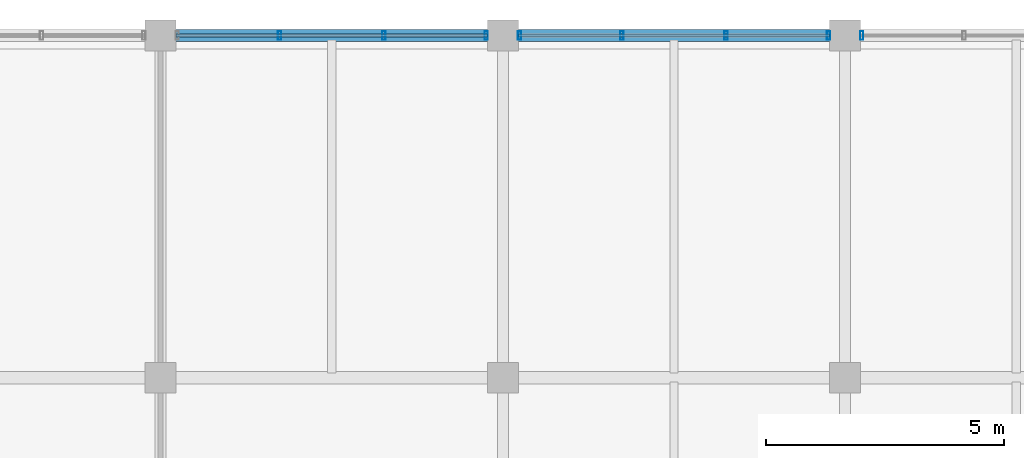
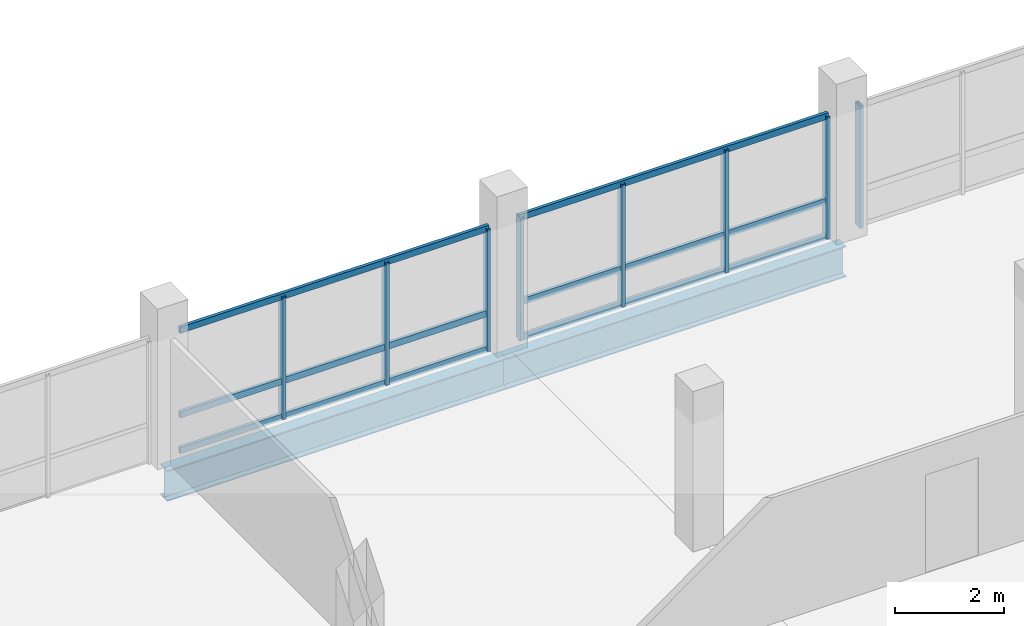
# One storey, part 47 of 96: 14 members, 2 beams, 3 elements without a shape of their own.
"""IFC4 building model written with IfcOpenShell, lengths in metres."""

import ifcopenshell
import ifcopenshell.guid

model = None  # the IFC model being written
_history = None  # IfcOwnerHistory: only IFC2X3 demands one
_inside = {}  # id of a spatial element -> (the spatial element, [elements in it])
_under = {}  # id of a project, library or spatial element -> (it, [spatial elements below it])
_declared = {}  # id of a project -> (the project, [libraries it declares])
_typed = {}  # id of a type object -> (the type object, [elements of that type])
_made_of = {}  # id of a material, layer set ... -> (it, [elements and type objects made of it])


def new_model(schema):
    """Start an empty IFC model of exactly this schema.

    Asked for "IFC4X3", IfcOpenShell would pick the latest addendum, in which some entities
    have other attributes; the version numbers below select the first issue.
    IFC2X3 requires an IfcOwnerHistory on every rooted entity: one is made here for all.
    """
    global model, _history
    if schema == "IFC4X3":
        model = ifcopenshell.file(schema_version=(4, 3, 0, 0))
    else:
        model = ifcopenshell.file(schema=schema)
    _inside.clear()
    _under.clear()
    _declared.clear()
    _typed.clear()
    _made_of.clear()
    _history = None
    if model.schema == "IFC2X3":
        org = make("IfcOrganization", Name="unknown")
        user = make(
            "IfcPersonAndOrganization",
            ThePerson=make("IfcPerson", FamilyName="unknown"),
            TheOrganization=org,
        )
        app = make(
            "IfcApplication",
            ApplicationDeveloper=org,
            Version="unknown",
            ApplicationFullName="unknown",
            ApplicationIdentifier="unknown",
        )
        _history = make(
            "IfcOwnerHistory",
            OwningUser=user,
            OwningApplication=app,
            ChangeAction="ADDED",
            CreationDate=0,
        )
    return model


def make(cls, **values):
    """One entity of the class cls with the attributes given. An attribute that is None is left unset."""
    return model.create_entity(
        cls, **{name: value for name, value in values.items() if value is not None}
    )


def rooted(cls, **values):
    """An entity with a GlobalId (a new one), such as an element, a storey or a relation."""
    return make(cls, GlobalId=ifcopenshell.guid.new(), OwnerHistory=_history, **values)


def si_unit(unit_type, name, prefix=None):
    """IfcSIUnit, for example si_unit("LENGTHUNIT", "METRE", prefix="MILLI")."""
    return make("IfcSIUnit", UnitType=unit_type, Prefix=prefix, Name=name)


def assignment(units):
    """IfcUnitAssignment: the units of a project."""
    return None if units is None else make("IfcUnitAssignment", Units=units)


def point(xyz):
    """IfcCartesianPoint."""
    return None if xyz is None else make("IfcCartesianPoint", Coordinates=xyz)


def direction(xyz):
    """IfcDirection."""
    return None if xyz is None else make("IfcDirection", DirectionRatios=xyz)


def frame(location, z_axis=None, x_axis=None):
    """IfcAxis2Placement3D, a coordinate frame: its origin and axes. An axis left out is left unset."""
    return make(
        "IfcAxis2Placement3D",
        Location=point(location),
        Axis=direction(z_axis),
        RefDirection=direction(x_axis),
    )


def frame_2d(location, x_axis=None):
    """IfcAxis2Placement2D, a coordinate frame in the plane: its origin and x axis."""
    return make(
        "IfcAxis2Placement2D", Location=point(location), RefDirection=direction(x_axis)
    )


def origin():
    """The frame at (0, 0, 0) with its axes left unset."""
    return frame((0.0, 0.0, 0.0))


def origin_2d():
    """The frame at (0, 0) in the plane with its x axis left unset."""
    return frame_2d((0.0, 0.0))


def place(relative_to, where):
    """IfcLocalPlacement: puts the frame where relative to a parent placement (None: the world)."""
    return make(
        "IfcLocalPlacement", PlacementRelTo=relative_to, RelativePlacement=where
    )


def context(
    kind, dimensions, precision=None, world=None, true_north=None, identifier=None
):
    """IfcGeometricRepresentationContext, for example the 3D "Model" context."""
    return make(
        "IfcGeometricRepresentationContext",
        ContextIdentifier=identifier,
        ContextType=kind,
        CoordinateSpaceDimension=dimensions,
        Precision=precision,
        WorldCoordinateSystem=world,
        TrueNorth=true_north,
    )


def subcontext(parent, identifier, kind, view, scale=None):
    """IfcGeometricRepresentationSubContext, for example "Body" below "Model"."""
    return make(
        "IfcGeometricRepresentationSubContext",
        ContextIdentifier=identifier,
        ContextType=kind,
        ParentContext=parent,
        TargetScale=scale,
        TargetView=view,
    )


def project(units=None, contexts=None):
    """IfcProject with its units and contexts."""
    return rooted(
        "IfcProject",
        Name="project",
        RepresentationContexts=contexts,
        UnitsInContext=assignment(units),
    )


def spatial(cls, under=None, at=None, **own):
    """A site, building, storey or space (cls), placed at a placement, below another one or the project."""
    s = rooted(cls, ObjectPlacement=at, **own)
    if under is not None:
        _under.setdefault(under.id(), (under, []))[1].append(s)
    return s


def profile(cls, at=None, kind="AREA", **sizes):
    """A parametric profile (cls). Its sizes go by their IFC names, for example OverallWidth=200.0."""
    return make(cls, ProfileType=kind, Position=at, **sizes)


def hollow_rectangle(**sizes):
    """IfcRectangleHollowProfileDef."""
    return profile("IfcRectangleHollowProfileDef", **sizes)


def i_section(**sizes):
    """IfcIShapeProfileDef."""
    return profile("IfcIShapeProfileDef", **sizes)


def extrude(swept, where, along, depth):
    """IfcExtrudedAreaSolid: the profile swept, set in the frame where, extruded along a direction by depth."""
    return make(
        "IfcExtrudedAreaSolid",
        SweptArea=swept,
        Position=where,
        ExtrudedDirection=direction(along),
        Depth=depth,
    )


def shape(context_of_items, identifier, shape_type, items):
    """IfcShapeRepresentation: the items that make up one representation, for example the "Body"."""
    return make(
        "IfcShapeRepresentation",
        ContextOfItems=context_of_items,
        RepresentationIdentifier=identifier,
        RepresentationType=shape_type,
        Items=items,
    )


def material(Name=None, Category=None):
    """IfcMaterial."""
    return make("IfcMaterial", Name=Name, Category=Category)


def material_profile(
    of_material, cross_section, Name=None, Category=None, Priority=None
):
    """IfcMaterialProfile: a cross section and its material."""
    return make(
        "IfcMaterialProfile",
        Name=Name,
        Material=of_material,
        Profile=cross_section,
        Priority=Priority,
        Category=Category,
    )


def profile_set(profiles, Name=None, composite=None):
    """IfcMaterialProfileSet."""
    return make(
        "IfcMaterialProfileSet",
        Name=Name,
        MaterialProfiles=profiles,
        CompositeProfile=composite,
    )


def made_of(thing, what):
    """Note that an element or type object is made of a material, layer set ...; save() writes the relation."""
    if what is not None:
        _made_of.setdefault(what.id(), (what, []))[1].append(thing)
    return thing


def type_object(cls, material=None, **own):
    """A type object (cls), such as IfcWallType, which elements share."""
    return made_of(rooted(cls, **own), material)


def element(
    cls,
    number,
    at=None,
    inside=None,
    cuts=None,
    type_object=None,
    material=None,
    context=None,
    identifier="Body",
    shape_type=None,
    held_by="IfcProductDefinitionShape",
    body=None,
    shapes=None,
    **own,
):
    """One element of the class cls, such as IfcWall. Its Tag is "e" and its number.

    at: its placement. inside: the storey or other place that contains it. cuts: it is an
    opening in that element (IfcRelVoidsElement). A single representation is given by context,
    identifier, shape_type and body (its items); several are given by shapes. held_by: the class
    of the entity that holds the representations. save() writes the other relations.
    """
    e = rooted(cls, Tag="e%d" % number, ObjectPlacement=at, **own)
    if body is not None:
        shapes = [shape(context, identifier, shape_type, body)]
    if shapes is not None:
        e.Representation = make(held_by, Representations=shapes)
    if inside is not None:
        _inside.setdefault(inside.id(), (inside, []))[1].append(e)
    if cuts is not None:
        rooted(
            "IfcRelVoidsElement", RelatingBuildingElement=cuts, RelatedOpeningElement=e
        )
    if type_object is not None:
        _typed.setdefault(type_object.id(), (type_object, []))[1].append(e)
    return made_of(e, material)


def aggregate(whole, parts):
    """IfcRelAggregates: a whole, such as a stair, and the parts it consists of."""
    return rooted("IfcRelAggregates", RelatingObject=whole, RelatedObjects=parts)


def save(model, path):
    """Write the relations noted so far, then the file.

    IfcRelAggregates (storeys below a building ...), IfcRelContainedInSpatialStructure (elements
    in a storey), IfcRelDefinesByType, IfcRelAssociatesMaterial and IfcRelDeclares: one each for
    every whole, place, type object, material and project.
    """
    for whole, parts in _under.values():
        aggregate(whole, parts)
    for where, things in _inside.values():
        rooted(
            "IfcRelContainedInSpatialStructure",
            RelatedElements=things,
            RelatingStructure=where,
        )
    for kind, things in _typed.values():
        rooted("IfcRelDefinesByType", RelatedObjects=things, RelatingType=kind)
    for what, things in _made_of.values():
        rooted("IfcRelAssociatesMaterial", RelatedObjects=things, RelatingMaterial=what)
    for by, libraries in _declared.values():
        rooted("IfcRelDeclares", RelatingContext=by, RelatedDefinitions=libraries)
    model.write(path)


model = new_model("IFC4")

# Units and contexts
model_context = context("Model", 3, precision=1e-05, world=origin(), true_north=direction((0.0, 1.0)))
body_context = subcontext(model_context, "Body", "Model", "MODEL_VIEW")
ifc_project = project(units=[si_unit("LENGTHUNIT", "METRE"), si_unit("AREAUNIT", "SQUARE_METRE"), si_unit("VOLUMEUNIT", "CUBIC_METRE"), si_unit("PLANEANGLEUNIT", "RADIAN"), si_unit("MASSUNIT", "GRAM", prefix="KILO")], contexts=[model_context])

# Site, building, storey
site_placement = place(None, origin())
site = spatial("IfcSite", under=ifc_project, at=site_placement, CompositionType="ELEMENT")
building_placement = place(site_placement, origin())
building = spatial("IfcBuilding", under=site, at=building_placement, Name="Yarey Park Central Fire Station", CompositionType="ELEMENT")
storey_placement = place(building_placement, frame((0.0, 0.0, 14.39990234375)))
storey = spatial("IfcBuildingStorey", under=building, at=storey_placement, Name="L04", CompositionType="ELEMENT", Elevation=14.39990234375)

# Curtain wall, members
ifc_material_1 = material(Name="Anodized Aluminium Frame", Category="aluminium")
curtain_wall_type = type_object("IfcCurtainWallType", Name="ENV_CW_HQ_L04", PredefinedType="NOTDEFINED", material=ifc_material_1)
curtain_wall_1_placement = place(storey_placement, origin())
curtain_wall_1 = element("IfcCurtainWall", 1, at=curtain_wall_1_placement, inside=storey, type_object=curtain_wall_type, Name="CW_L04_V4_N_4", PredefinedType="NOTDEFINED")
ifc_material_profile_1 = material_profile(ifc_material_1, hollow_rectangle(XDim=0.070068359375, YDim=0.179931640625, WallThickness=0.00390625, at=origin_2d()), Name="ALU 180x70x4")
ifc_profile_set_1 = profile_set([ifc_material_profile_1], Name="Anodized Aluminium Frame")
member_type_1 = type_object("IfcMemberType", Name="ENV_CW_MULLION", PredefinedType="MULLION", material=ifc_profile_set_1)
member_1_placement = place(storey_placement, frame((143.64990234375, 115.199951171875, 0.0), z_axis=(0.0, 0.0, 1.0), x_axis=(1.0, 0.0, 0.0)))
member_1 = element("IfcMember", 2, at=member_1_placement, type_object=member_type_1, Name="CW_L04_V4_N_4_MUL1", PredefinedType="MULLION", context=body_context, shape_type="SweptSolid", body=[
    extrude(hollow_rectangle(XDim=0.070068359375, YDim=0.179931640625, WallThickness=0.00390625, at=origin_2d()), origin(), (0.0, 0.0, 1.0), 2.75),
])
member_2_placement = place(storey_placement, frame((141.49658203125, 115.199951171875, 0.0), z_axis=(0.0, 0.0, 1.0), x_axis=(1.0, 0.0, 0.0)))
member_2 = element("IfcMember", 3, at=member_2_placement, type_object=member_type_1, Name="CW_L04_V4_N_4_MUL2", PredefinedType="MULLION", context=body_context, shape_type="SweptSolid", body=[
    extrude(hollow_rectangle(XDim=0.070068359375, YDim=0.179931640625, WallThickness=0.00390625, at=origin_2d()), origin(), (0.0, 0.0, 1.0), 2.75),
])
member_3_placement = place(storey_placement, frame((139.30322265625, 115.199951171875, 0.0), z_axis=(0.0, 0.0, 1.0), x_axis=(1.0, 0.0, 0.0)))
member_3 = element("IfcMember", 4, at=member_3_placement, type_object=member_type_1, Name="CW_L04_V4_N_4_MUL3", PredefinedType="MULLION", context=body_context, shape_type="SweptSolid", body=[
    extrude(hollow_rectangle(XDim=0.070068359375, YDim=0.179931640625, WallThickness=0.00390625, at=origin_2d()), origin(), (0.0, 0.0, 1.0), 2.75),
])

curtain_wall_2_placement = place(storey_placement, origin())
curtain_wall_2 = element("IfcCurtainWall", 5, at=curtain_wall_2_placement, inside=storey, type_object=curtain_wall_type, Name="CW_L04_V4_N_5", PredefinedType="NOTDEFINED")
member_4_placement = place(storey_placement, frame((150.85009765625, 115.199951171875, 0.0), z_axis=(0.0, 0.0, 1.0), x_axis=(1.0, 0.0, 0.0)))
member_4 = element("IfcMember", 6, at=member_4_placement, type_object=member_type_1, Name="CW_L04_V4_N_5_MUL1", PredefinedType="MULLION", context=body_context, shape_type="SweptSolid", body=[
    extrude(hollow_rectangle(XDim=0.070068359375, YDim=0.179931640625, WallThickness=0.00390625, at=origin_2d()), origin(), (0.0, 0.0, 1.0), 2.75),
])
member_5_placement = place(storey_placement, frame((148.69677734375, 115.199951171875, 0.0), z_axis=(0.0, 0.0, 1.0), x_axis=(1.0, 0.0, 0.0)))
member_5 = element("IfcMember", 7, at=member_5_placement, type_object=member_type_1, Name="CW_L04_V4_N_5_MUL2", PredefinedType="MULLION", context=body_context, shape_type="SweptSolid", body=[
    extrude(hollow_rectangle(XDim=0.070068359375, YDim=0.179931640625, WallThickness=0.00390625, at=origin_2d()), origin(), (0.0, 0.0, 1.0), 2.75),
])
member_6_placement = place(storey_placement, frame((146.50341796875, 115.199951171875, 0.0), z_axis=(0.0, 0.0, 1.0), x_axis=(1.0, 0.0, 0.0)))
member_6 = element("IfcMember", 8, at=member_6_placement, type_object=member_type_1, Name="CW_L04_V4_N_5_MUL3", PredefinedType="MULLION", context=body_context, shape_type="SweptSolid", body=[
    extrude(hollow_rectangle(XDim=0.070068359375, YDim=0.179931640625, WallThickness=0.00390625, at=origin_2d()), origin(), (0.0, 0.0, 1.0), 2.75),
])
member_7_placement = place(storey_placement, frame((144.35009765625, 115.199951171875, 0.0), z_axis=(0.0, 0.0, 1.0), x_axis=(1.0, 0.0, 0.0)))
member_7 = element("IfcMember", 9, at=member_7_placement, type_object=member_type_1, Name="CW_L04_V4_N_5_MUL4", PredefinedType="MULLION", context=body_context, shape_type="SweptSolid", body=[
    extrude(hollow_rectangle(XDim=0.070068359375, YDim=0.179931640625, WallThickness=0.00390625, at=origin_2d()), origin(), (0.0, 0.0, 1.0), 2.75),
])

# Curtain wall, member
curtain_wall_3_placement = place(storey_placement, origin())
curtain_wall_3 = element("IfcCurtainWall", 10, at=curtain_wall_3_placement, inside=storey, type_object=curtain_wall_type, Name="CW_L04_V4_N_6", PredefinedType="NOTDEFINED")
member_8_placement = place(storey_placement, frame((151.550048828125, 115.199951171875, 0.0), z_axis=(0.0, 0.0, 1.0), x_axis=(1.0, 0.0, 0.0)))
member_8 = element("IfcMember", 11, at=member_8_placement, type_object=member_type_1, Name="CW_L04_V4_N_6_MUL4", PredefinedType="MULLION", context=body_context, shape_type="SweptSolid", body=[
    extrude(hollow_rectangle(XDim=0.070068359375, YDim=0.179931640625, WallThickness=0.00390625, at=origin_2d()), origin(), (0.0, 0.0, 1.0), 2.75),
])
aggregate(curtain_wall_3, [member_8])

# Member
ifc_material_profile_2 = material_profile(ifc_material_1, hollow_rectangle(XDim=0.070068359375, YDim=0.139892578125, WallThickness=0.00390625, at=origin_2d()), Name="ALU 140x70x4")
ifc_profile_set_2 = profile_set([ifc_material_profile_2], Name="Anodized Aluminium Frame")
member_type_2 = type_object("IfcMemberType", Name="ENV_CW_TRANSOM", PredefinedType="USERDEFINED", material=ifc_profile_set_2)
member_9_placement = place(storey_placement, frame((143.675048828125, 115.199951171875, 0.025146484375), z_axis=(-1.0, 0.0, 0.0), x_axis=(0.0, -1.0, 0.0)))
member_9 = element("IfcMember", 12, at=member_9_placement, type_object=member_type_2, Name="CW_L04_V4_N_4_TRN1", ObjectType="TRANSOM", PredefinedType="USERDEFINED", context=body_context, shape_type="SweptSolid", body=[
    extrude(hollow_rectangle(XDim=0.070068359375, YDim=0.139892578125, WallThickness=0.00390625, at=origin_2d()), origin(), (0.0, 0.0, 1.0), 6.550048828125),
])

member_10_placement = place(storey_placement, frame((143.675048828125, 115.199951171875, 0.8251953125), z_axis=(-1.0, 0.0, 0.0), x_axis=(0.0, -1.0, 0.0)))
member_10 = element("IfcMember", 13, at=member_10_placement, type_object=member_type_2, Name="CW_L04_V4_N_4_TRN2", ObjectType="TRANSOM", PredefinedType="USERDEFINED", context=body_context, shape_type="SweptSolid", body=[
    extrude(hollow_rectangle(XDim=0.070068359375, YDim=0.139892578125, WallThickness=0.00390625, at=origin_2d()), origin(), (0.0, 0.0, 1.0), 6.550048828125),
])

member_11_placement = place(storey_placement, frame((143.675048828125, 115.199951171875, 2.72509765625), z_axis=(-1.0, 0.0, 0.0), x_axis=(0.0, -1.0, 0.0)))
member_11 = element("IfcMember", 14, at=member_11_placement, type_object=member_type_2, Name="CW_L04_V4_N_4_TRN3", ObjectType="TRANSOM", PredefinedType="USERDEFINED", context=body_context, shape_type="SweptSolid", body=[
    extrude(hollow_rectangle(XDim=0.070068359375, YDim=0.139892578125, WallThickness=0.00390625, at=origin_2d()), origin(), (0.0, 0.0, 1.0), 6.550048828125),
])

aggregate(curtain_wall_1, [member_1, member_2, member_3, member_9, member_10, member_11])

member_12_placement = place(storey_placement, frame((150.875, 115.199951171875, 0.025146484375), z_axis=(-1.0, 0.0, 0.0), x_axis=(0.0, -1.0, 0.0)))
member_12 = element("IfcMember", 15, at=member_12_placement, type_object=member_type_2, Name="CW_L04_V4_N_5_TRN1", ObjectType="TRANSOM", PredefinedType="USERDEFINED", context=body_context, shape_type="SweptSolid", body=[
    extrude(hollow_rectangle(XDim=0.070068359375, YDim=0.139892578125, WallThickness=0.00390625, at=origin_2d()), origin(), (0.0, 0.0, 1.0), 6.550048828125),
])

member_13_placement = place(storey_placement, frame((150.875, 115.199951171875, 0.8251953125), z_axis=(-1.0, 0.0, 0.0), x_axis=(0.0, -1.0, 0.0)))
member_13 = element("IfcMember", 16, at=member_13_placement, type_object=member_type_2, Name="CW_L04_V4_N_5_TRN2", ObjectType="TRANSOM", PredefinedType="USERDEFINED", context=body_context, shape_type="SweptSolid", body=[
    extrude(hollow_rectangle(XDim=0.070068359375, YDim=0.139892578125, WallThickness=0.00390625, at=origin_2d()), origin(), (0.0, 0.0, 1.0), 6.550048828125),
])

member_14_placement = place(storey_placement, frame((150.875, 115.199951171875, 2.72509765625), z_axis=(-1.0, 0.0, 0.0), x_axis=(0.0, -1.0, 0.0)))
member_14 = element("IfcMember", 17, at=member_14_placement, type_object=member_type_2, Name="CW_L04_V4_N_5_TRN3", ObjectType="TRANSOM", PredefinedType="USERDEFINED", context=body_context, shape_type="SweptSolid", body=[
    extrude(hollow_rectangle(XDim=0.070068359375, YDim=0.139892578125, WallThickness=0.00390625, at=origin_2d()), origin(), (0.0, 0.0, 1.0), 6.550048828125),
])

aggregate(curtain_wall_2, [member_4, member_5, member_6, member_7, member_12, member_13, member_14])

# Beams
ifc_material_2 = material(Name="Steel ASTM A992 Gr. 50", Category="steel")
ifc_material_profile_3 = material_profile(ifc_material_2, i_section(OverallWidth=0.256103515625, OverallDepth=0.693115234375, WebThickness=0.014404296875, FlangeThickness=0.023681640625, at=origin_2d()), Name="W690x170")
ifc_profile_set_3 = profile_set([ifc_material_profile_3], Name="Steel ASTM A992 Gr. 50")
beam_type = type_object("IfcBeamType", Name="STR_BM_W690", PredefinedType="BEAM", material=ifc_profile_set_3)
for number, where, z_axis, x_axis, name in (
    (18, (136.800048828125, 115.199951171875, -0.596435546875), (1.0, 0.0, 0.0), (0.0, 1.0, 0.0), "BMX L04 Y1152 X1368"),
    (19, (144.0, 115.199951171875, -0.596435546875), (1.0, 0.0, 0.0), (0.0, 1.0, 0.0), "BMX L04 Y1152 X1440"),
):
    element("IfcBeam", number, at=place(storey_placement, frame(where, z_axis=z_axis, x_axis=x_axis)), inside=storey, type_object=beam_type, Name=name, PredefinedType="BEAM", context=body_context, shape_type="SweptSolid", body=[
        extrude(i_section(OverallWidth=0.256103515625, OverallDepth=0.693115234375, WebThickness=0.014404296875, FlangeThickness=0.023681640625, at=origin_2d()), origin(), (0.0, 0.0, 1.0), 7.199951171875),
    ])

save(model, "model.ifc")
